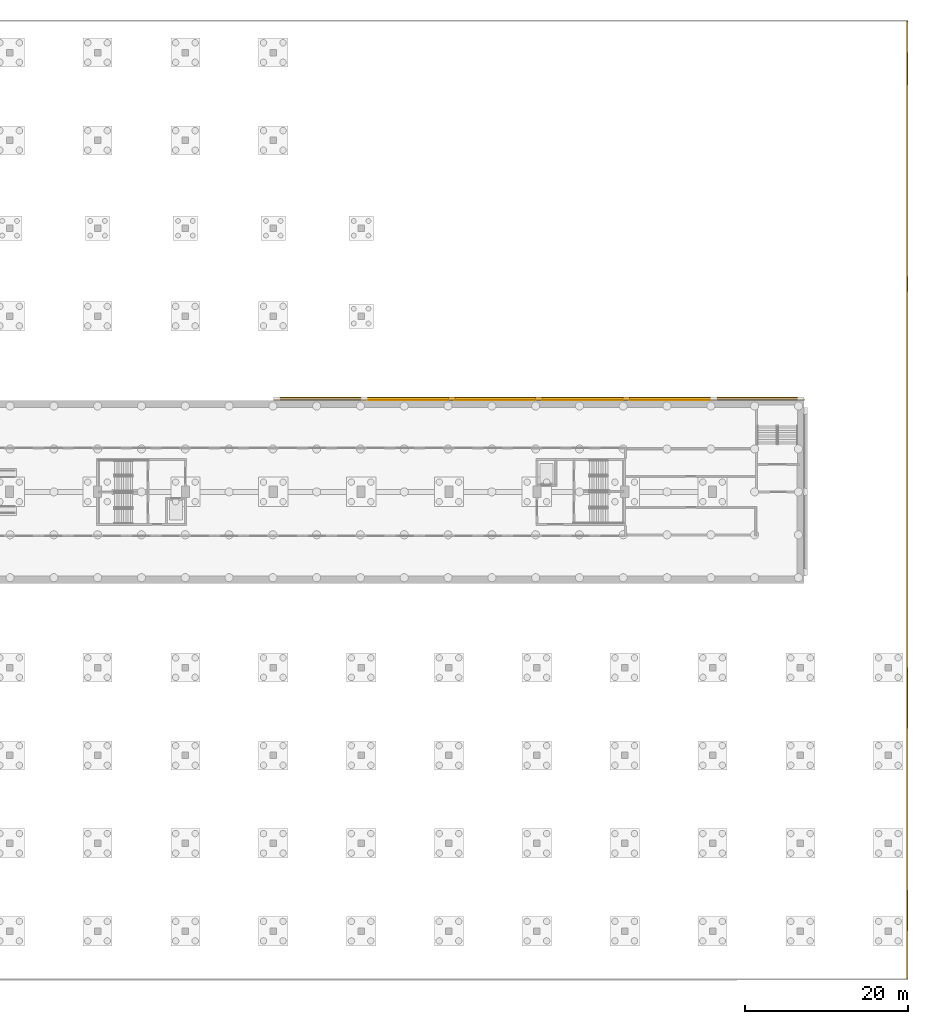
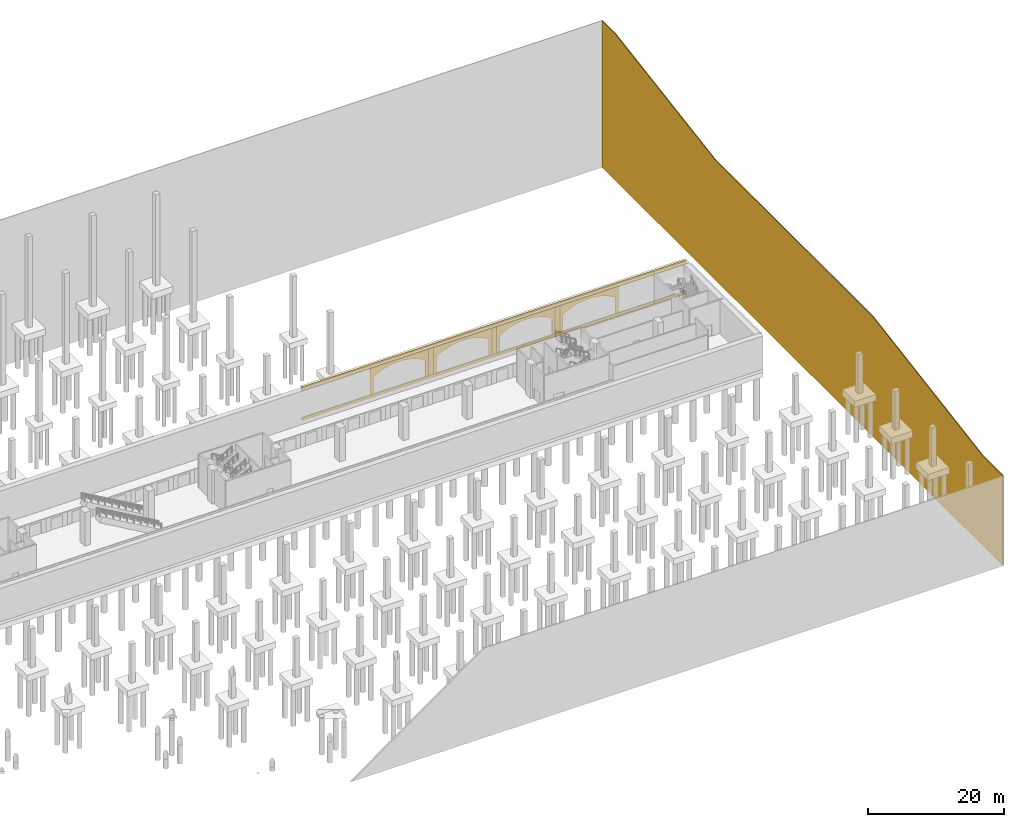
# One storey, part 36 of 39: 11 coverings.
"""IFC4 building model written with IfcOpenShell, lengths in metres."""

from ifc_helpers import new_model, si_unit, direction, frame, origin, origin_2d, place, context, subcontext, project, spatial, polyline, rectangle, outline, extrude, material, layer, layer_set, type_object, element, save


model = new_model("IFC4")

# Units and contexts
model_context = context("Model", 3, precision=1e-05, world=origin(), true_north=direction((0.0, 1.0)))
body_context = subcontext(model_context, "Body", "Model", "MODEL_VIEW")
ifc_project = project(units=[si_unit("LENGTHUNIT", "METRE"), si_unit("AREAUNIT", "SQUARE_METRE"), si_unit("VOLUMEUNIT", "CUBIC_METRE"), si_unit("PLANEANGLEUNIT", "RADIAN"), si_unit("MASSUNIT", "GRAM", prefix="KILO")], contexts=[model_context])

# Site, building, storey
site_placement = place(None, origin())
site = spatial("IfcSite", under=ifc_project, at=site_placement, CompositionType="ELEMENT")
building_placement = place(site_placement, origin())
building = spatial("IfcBuilding", under=site, at=building_placement, Name="Magnolia Steps Interchange", CompositionType="ELEMENT")
storey_placement = place(building_placement, frame((0.0, 0.0, -11.39990234375)))
storey = spatial("IfcBuildingStorey", under=building, at=storey_placement, Name="B2", CompositionType="ELEMENT", Elevation=-11.39990234375)

# Coverings
ifc_material_1 = material(Name="Compacted earth and rock face")
ifc_layer_1 = layer(ifc_material_1, 0.14990234375)
ifc_layer_set_1 = layer_set([ifc_layer_1], Name="Earth retaining face 150")
covering_type_1 = type_object("IfcCoveringType", Name="Earth retaining face 150", PredefinedType="CLADDING", material=ifc_layer_set_1)
covering_1_placement = place(storey_placement, frame((195.925048828125, 4.14990234375, -10.10009765625), z_axis=(0.0, 0.0, 1.0), x_axis=(0.0, 1.0, 0.0)))
element("IfcCovering", 1, at=covering_1_placement, inside=storey, type_object=covering_type_1, Name="Earth retaining face east", PredefinedType="CLADDING", context=body_context, shape_type="SweptSolid", body=[
    extrude(outline(polyline([(0.0, 0.0), (117.7001953125, 0.0), (117.699951171875, 26.300048828125), (113.85009765625, 26.300048828125), (84.449951171875, 21.5), (38.25, 21.5), (5.85009765625, 16.10009765625), (0.0, 16.10009765625), (0.0, 0.0)])), frame((0.0, 0.074951171875, 0.0), z_axis=(0.0, -1.0, 0.0), x_axis=(1.0, 0.0, 0.0)), (0.0, 0.0, 1.0), 0.14990234375),
])
ifc_material_2 = material(Name="Lime render")
ifc_layer_2 = layer(ifc_material_2, 0.080078125)
ifc_layer_set_2 = layer_set([ifc_layer_2], Name="Lime render arch infill")
covering_type_2 = type_object("IfcCoveringType", Name="Lime render arch infill", PredefinedType="CLADDING", material=ifc_layer_set_2)
covering_2_placement = place(storey_placement, frame((130.13330078125, 75.25, 0.5), z_axis=(0.0, -1.0, 0.0), x_axis=(0.0, 0.0, 1.0)))
element("IfcCovering", 2, at=covering_2_placement, inside=storey, type_object=covering_type_2, Name="Blind arch metro box wall 2.2", PredefinedType="CLADDING", context=body_context, shape_type="SweptSolid", body=[
    extrude(outline(polyline([(0.0, 0.0), (3.0, 0.0), (3.292480469, -0.490722656), (3.540771484, -0.981445312), (3.749511719, -1.472412109), (3.921875, -1.962890625), (4.060058594, -2.453613281), (4.166015625, -2.944580078), (4.240722656, -3.435302734), (4.28515625, -3.926025391), (4.299804688, -4.416748047), (4.28515625, -4.907470703), (4.240722656, -5.398193359), (4.166015625, -5.888916016), (4.060058594, -6.379638672), (3.921875, -6.870361328), (3.749511719, -7.361083984), (3.540771484, -7.851806641), (3.292480469, -8.342529297), (3.0, -8.833496094), (0.0, -8.833496094), (0.0, -9.383300781), (4.849853516, -9.383300781), (4.849853516, 0.550048828), (0.0, 0.550048828), (0.0, 0.0)])), origin(), (0.0, 0.0, -1.0), 0.080078125),
])
covering_3_placement = place(storey_placement, frame((140.86669921875, 75.25, 0.5), z_axis=(0.0, -1.0, 0.0), x_axis=(0.0, 0.0, 1.0)))
element("IfcCovering", 3, at=covering_3_placement, inside=storey, type_object=covering_type_2, Name="Blind arch metro box wall 2.3", PredefinedType="CLADDING", context=body_context, shape_type="SweptSolid", body=[
    extrude(outline(polyline([(0.0, 0.0), (3.0, 0.0), (3.292480469, -0.490722656), (3.540771484, -0.981445312), (3.749511719, -1.472167969), (3.921875, -1.962890625), (4.060058594, -2.453613281), (4.166015625, -2.944335938), (4.240722656, -3.435302734), (4.28515625, -3.92578125), (4.299804688, -4.416503906), (4.28515625, -4.907470703), (4.240722656, -5.398193359), (4.166015625, -5.888916016), (4.060058594, -6.379638672), (3.921875, -6.870361328), (3.749511719, -7.361083984), (3.540771484, -7.851806641), (3.292480469, -8.342529297), (3.0, -8.833251953), (0.0, -8.833251953), (0.0, -9.383300781), (4.849853516, -9.383300781), (4.849853516, 0.550048828), (0.0, 0.550048828), (0.0, 0.0)])), origin(), (0.0, 0.0, -1.0), 0.080078125),
])
covering_4_placement = place(storey_placement, frame((151.60009765625, 75.25, 0.5), z_axis=(0.0, -1.0, 0.0), x_axis=(0.0, 0.0, 1.0)))
element("IfcCovering", 4, at=covering_4_placement, inside=storey, type_object=covering_type_2, Name="Blind arch metro box wall 2.4", PredefinedType="CLADDING", context=body_context, shape_type="SweptSolid", body=[
    extrude(outline(polyline([(0.0, 0.0), (3.0, 0.0), (3.292480469, -0.490722656), (3.540771484, -0.981445312), (3.749511719, -1.472167969), (3.921875, -1.962890625), (4.060058594, -2.453613281), (4.166015625, -2.944335938), (4.240722656, -3.435058594), (4.28515625, -3.92578125), (4.299804688, -4.416503906), (4.28515625, -4.907226562), (4.240722656, -5.397949219), (4.166015625, -5.888916016), (4.060058594, -6.379394531), (3.921875, -6.870361328), (3.749511719, -7.361083984), (3.540771484, -7.851806641), (3.292480469, -8.342529297), (3.0, -8.833251953), (0.0, -8.833251953), (0.0, -9.383300781), (4.849853516, -9.383300781), (4.849853516, 0.550048828), (0.0, 0.550048828), (0.0, 0.0)])), origin(), (0.0, 0.0, -1.0), 0.080078125),
])
covering_5_placement = place(storey_placement, frame((162.333251953125, 75.25, 0.5), z_axis=(0.0, -1.0, 0.0), x_axis=(0.0, 0.0, 1.0)))
element("IfcCovering", 5, at=covering_5_placement, inside=storey, type_object=covering_type_2, Name="Blind arch metro box wall 2.5", PredefinedType="CLADDING", context=body_context, shape_type="SweptSolid", body=[
    extrude(outline(polyline([(0.0, 0.0), (3.0, 0.0), (3.292480469, -0.490966797), (3.540771484, -0.981445312), (3.749511719, -1.472412109), (3.921875, -1.963134766), (4.060058594, -2.453857422), (4.166015625, -2.944580078), (4.240722656, -3.435302734), (4.28515625, -3.926025391), (4.299804688, -4.416748047), (4.28515625, -4.907470703), (4.240722656, -5.398193359), (4.166015625, -5.888916016), (4.060058594, -6.379638672), (3.921875, -6.870361328), (3.749511719, -7.361083984), (3.540771484, -7.852050781), (3.292480469, -8.342529297), (3.0, -8.833496094), (0.0, -8.833496094), (0.0, -9.383544922), (4.849853516, -9.383544922), (4.849853516, 0.550048828), (0.0, 0.550048828), (0.0, 0.0)])), origin(), (0.0, 0.0, -1.0), 0.080078125),
])
ifc_material_3 = material(Name="Lime render")
ifc_layer_3 = layer(ifc_material_3, 0.1201171875)
ifc_layer_set_3 = layer_set([ifc_layer_3], Name="Lime render band")
covering_type_3 = type_object("IfcCoveringType", Name="Lime render band", PredefinedType="CLADDING", material=ifc_layer_set_3)
covering_6_placement = place(storey_placement, frame((150.64990234375, 75.324951171875, 0.0), z_axis=(0.0, 0.0, 1.0), x_axis=(1.0, 0.0, 0.0)))
element("IfcCovering", 6, at=covering_6_placement, inside=storey, type_object=covering_type_3, Name="Plinth course metro box wall 2", PredefinedType="CLADDING", context=body_context, shape_type="SweptSolid", body=[
    extrude(rectangle(XDim=65.199951171875, YDim=0.14990234375, at=origin_2d()), origin(), (0.0, 0.0, 1.0), 0.5),
])
covering_7_placement = place(storey_placement, frame((150.64990234375, 75.425048828125, 5.35009765625), z_axis=(0.0, 0.0, 1.0), x_axis=(1.0, 0.0, 0.0)))
element("IfcCovering", 7, at=covering_7_placement, inside=storey, type_object=covering_type_3, Name="Cornice metro box wall 2", PredefinedType="CLADDING", context=body_context, shape_type="SweptSolid", body=[
    extrude(rectangle(XDim=65.199951171875, YDim=0.35009765625, at=origin_2d()), origin(), (0.0, 0.0, 1.0), 0.449951171875),
])
covering_8_placement = place(storey_placement, frame((150.64990234375, 75.4599609375, 5.7998046875), z_axis=(0.0, 0.0, 1.0), x_axis=(1.0, 0.0, 0.0)))
element("IfcCovering", 8, at=covering_8_placement, inside=storey, type_object=covering_type_3, Name="Coping metro box wall 2", PredefinedType="CLADDING", context=body_context, shape_type="SweptSolid", body=[
    extrude(rectangle(XDim=65.199951171875, YDim=0.419921875, at=origin_2d()), origin(), (0.0, 0.0, 1.0), 0.199951171875),
])
ifc_material_4 = material(Name="Lime render")
ifc_layer_4 = layer(ifc_material_4, 0.39990234375)
ifc_layer_set_4 = layer_set([ifc_layer_4], Name="Lime render pilaster")
covering_type_4 = type_object("IfcCoveringType", Name="Lime render pilaster", PredefinedType="CLADDING", material=ifc_layer_set_4)
for number, where, z_axis, x_axis, name in (
    (9, (139.916748046875, 75.449951171875, 0.499755859375), (0.0, 0.0, 1.0), (1.0, 0.0, 0.0), "Pilaster metro box wall 2.3"),
    (10, (150.64990234375, 75.449951171875, 0.499755859375), (0.0, 0.0, 1.0), (1.0, 0.0, 0.0), "Pilaster metro box wall 2.4"),
    (11, (161.38330078125, 75.449951171875, 0.499755859375), (0.0, 0.0, 1.0), (1.0, 0.0, 0.0), "Pilaster metro box wall 2.5"),
):
    element("IfcCovering", number, at=place(storey_placement, frame(where, z_axis=z_axis, x_axis=x_axis)), inside=storey, type_object=covering_type_4, Name=name, PredefinedType="CLADDING", context=body_context, shape_type="SweptSolid", body=[
        extrude(rectangle(XDim=0.800048828125, YDim=0.39990234375, at=origin_2d()), origin(), (0.0, 0.0, 1.0), 4.85009765625),
    ])

save(model, "model.ifc")
